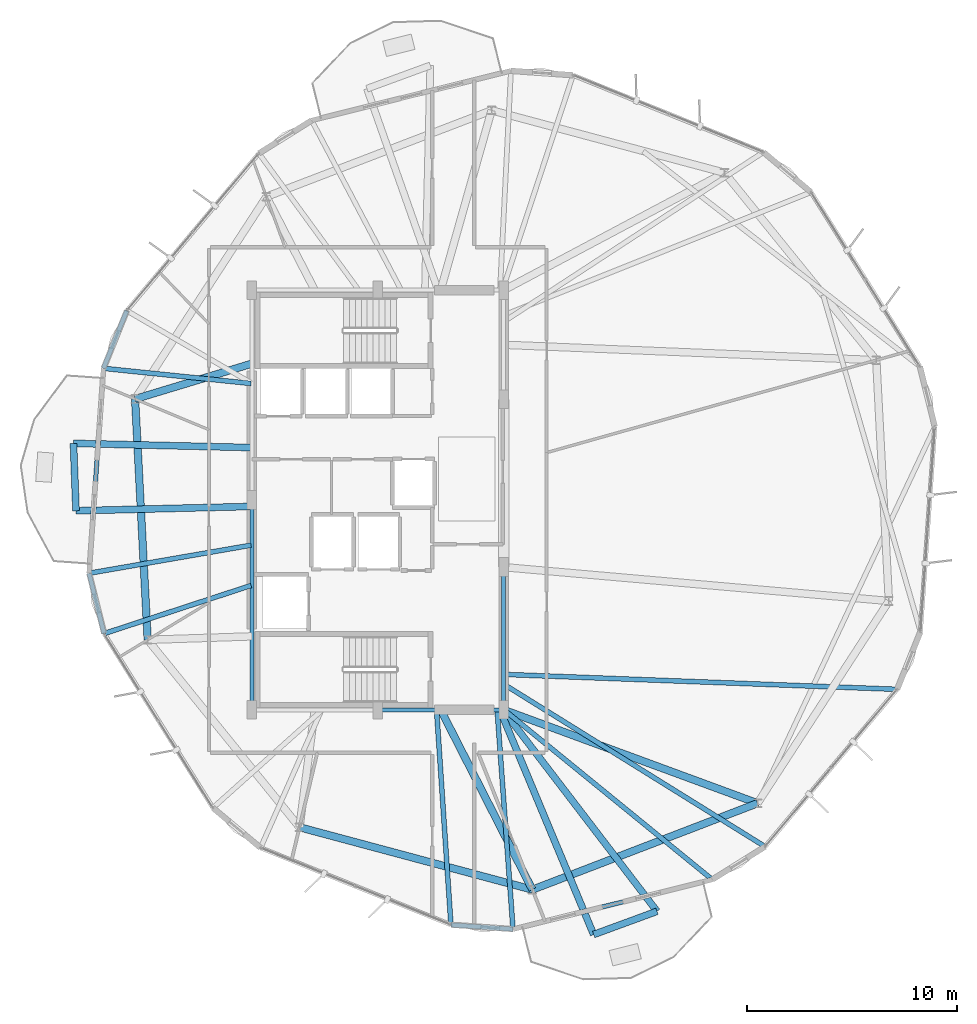
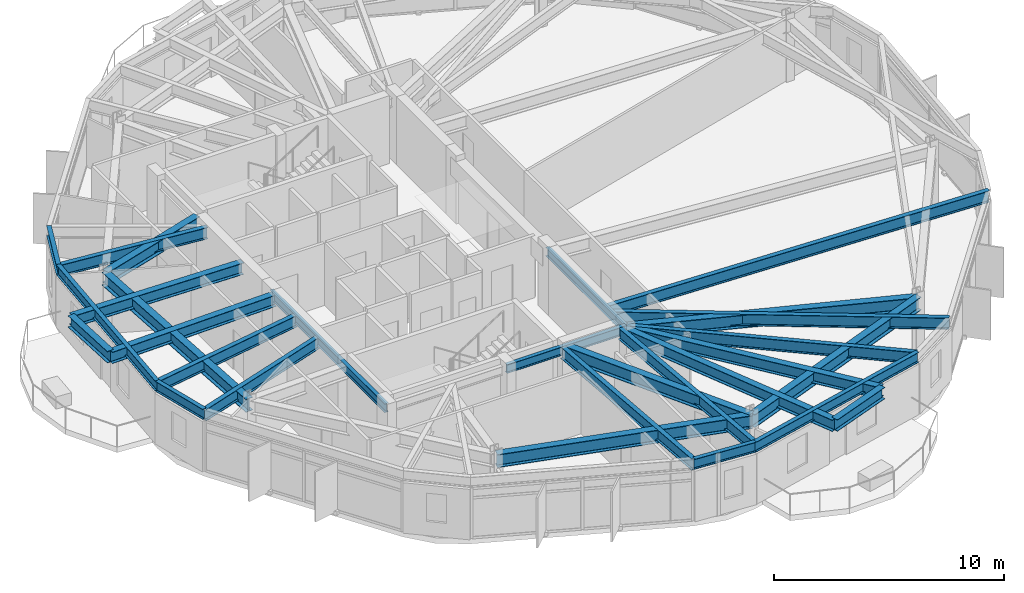
# One storey, part 5 of 23: 28 beams.
"""IFC4 building model written with IfcOpenShell, lengths in metres."""

from ifc_helpers import new_model, si_unit, direction, frame, origin, origin_2d, place, context, subcontext, project, spatial, i_section, extrude, material, material_profile, profile_set, type_object, element, save


model = new_model("IFC4")

# Units and contexts
model_context = context("Model", 3, precision=1e-05, world=origin(), true_north=direction((0.0, 1.0)))
body_context = subcontext(model_context, "Body", "Model", "MODEL_VIEW")
ifc_project = project(units=[si_unit("LENGTHUNIT", "METRE"), si_unit("AREAUNIT", "SQUARE_METRE"), si_unit("VOLUMEUNIT", "CUBIC_METRE"), si_unit("PLANEANGLEUNIT", "RADIAN"), si_unit("MASSUNIT", "GRAM", prefix="KILO")], contexts=[model_context])

# Site, building, storey
site_placement = place(None, origin())
site = spatial("IfcSite", under=ifc_project, at=site_placement, CompositionType="ELEMENT")
building_placement = place(site_placement, origin())
building = spatial("IfcBuilding", under=site, at=building_placement, Name="Soratama Intermodal Tower", CompositionType="ELEMENT")
storey_placement = place(building_placement, frame((0.0, 0.0, 215.800048828125)))
storey = spatial("IfcBuildingStorey", under=building, at=storey_placement, Name="L54", CompositionType="ELEMENT", Elevation=215.800048828125)

# Beams
ifc_material_1 = material(Name="Structural steel ASTM A992 Grade 50", Category="steel")
ifc_material_profile_1 = material_profile(ifc_material_1, i_section(OverallWidth=0.324951171875, OverallDepth=0.615966796875, WebThickness=0.013916015625, FlangeThickness=0.021484375, FilletRadius=0.013916015625, at=origin_2d()), Name="W24X117")
ifc_profile_set_1 = profile_set([ifc_material_profile_1], Name="Structural steel ASTM A992 Grade 50")
beam_type_1 = type_object("IfcBeamType", Name="BM-CANT-W24X117", PredefinedType="BEAM", material=ifc_profile_set_1)
beam_1_placement = place(storey_placement, frame((24.096923828125, 27.698974609375, 2.991943359375), z_axis=(0.037651800069, -0.999290919578, 0.0), x_axis=(0.999290919578, 0.037651800069, 0.0)))
element("IfcBeam", 1, at=beam_1_placement, inside=storey, type_object=beam_type_1, Name="BM-L54-CBHDR-2", PredefinedType="BEAM", context=body_context, shape_type="SweptSolid", body=[
    extrude(i_section(OverallWidth=0.324951171875, OverallDepth=0.615966796875, WebThickness=0.013916015625, FlangeThickness=0.021484375, FilletRadius=0.013916015625, at=origin_2d()), origin(), (0.0, 0.0, 1.0), 3.216064453125),
])
beam_2_placement = place(storey_placement, frame((48.89208984375, 4.285888671875, 2.991943359375), z_axis=(0.938794524338, 0.344477635083, 0.0), x_axis=(-0.344477635083, 0.938794524338, 0.0)))
element("IfcBeam", 2, at=beam_2_placement, inside=storey, type_object=beam_type_1, Name="BM-L54-CBHDR-3", PredefinedType="BEAM", context=body_context, shape_type="SweptSolid", body=[
    extrude(i_section(OverallWidth=0.324951171875, OverallDepth=0.615966796875, WebThickness=0.013916015625, FlangeThickness=0.021484375, FilletRadius=0.013916015625, at=origin_2d()), origin(), (0.0, 0.0, 1.0), 3.216796875),
])
beam_3_placement = place(storey_placement, frame((32.56005859375, 27.4990234375, 2.991943359375), z_axis=(-0.99972101964, 0.023619544644, 0.0), x_axis=(-0.023619544644, -0.99972101964, 0.0)))
element("IfcBeam", 3, at=beam_3_placement, inside=storey, type_object=beam_type_1, Name="BM-L54-CANT-2-1", PredefinedType="BEAM", context=body_context, shape_type="SweptSolid", body=[
    extrude(i_section(OverallWidth=0.324951171875, OverallDepth=0.615966796875, WebThickness=0.013916015625, FlangeThickness=0.021484375, FilletRadius=0.013916015625, at=origin_2d()), origin(), (0.0, 0.0, 1.0), 8.465576171875),
])
beam_4_placement = place(storey_placement, frame((32.56005859375, 24.69189453125, 2.991943359375), z_axis=(-0.999692905388, -0.024780938595, 0.0), x_axis=(0.024780938595, -0.999692905388, 0.0)))
element("IfcBeam", 4, at=beam_4_placement, inside=storey, type_object=beam_type_1, Name="BM-L54-CANT-2-2", PredefinedType="BEAM", context=body_context, shape_type="SweptSolid", body=[
    extrude(i_section(OverallWidth=0.324951171875, OverallDepth=0.615966796875, WebThickness=0.013916015625, FlangeThickness=0.021484375, FilletRadius=0.013916015625, at=origin_2d()), origin(), (0.0, 0.0, 1.0), 8.344482421875),
])
beam_5_placement = place(storey_placement, frame((44.43896484375, 14.962890625, 2.991943359375), z_axis=(0.384937541083, -0.922942625229, 0.0), x_axis=(0.922942625229, 0.384937541083, 0.0)))
element("IfcBeam", 5, at=beam_5_placement, inside=storey, type_object=beam_type_1, Name="BM-L54-CANT-3-1", PredefinedType="BEAM", context=body_context, shape_type="SweptSolid", body=[
    extrude(i_section(OverallWidth=0.324951171875, OverallDepth=0.615966796875, WebThickness=0.013916015625, FlangeThickness=0.021484375, FilletRadius=0.013916015625, at=origin_2d()), origin(), (0.0, 0.0, 1.0), 11.568359375),
])
beam_6_placement = place(storey_placement, frame((44.5869140625, 14.968017578125, 2.991943359375), z_axis=(0.607655309448, -0.794200871883, 0.0), x_axis=(0.794200871883, 0.607655309448, 0.0)))
element("IfcBeam", 6, at=beam_6_placement, inside=storey, type_object=beam_type_1, Name="BM-L54-CANT-3-2", PredefinedType="BEAM", context=body_context, shape_type="SweptSolid", body=[
    extrude(i_section(OverallWidth=0.324951171875, OverallDepth=0.615966796875, WebThickness=0.013916015625, FlangeThickness=0.021484375, FilletRadius=0.013916015625, at=origin_2d()), origin(), (0.0, 0.0, 1.0), 12.054931640625),
])
ifc_material_2 = material(Name="Structural steel ASTM A992 Grade 50", Category="steel")
ifc_material_profile_2 = material_profile(ifc_material_2, i_section(OverallWidth=0.19091796875, OverallDepth=0.4599609375, WebThickness=0.010009765625, FlangeThickness=0.01611328125, FilletRadius=0.010986328125, at=origin_2d()), Name="W18X55")
ifc_profile_set_2 = profile_set([ifc_material_profile_2], Name="Structural steel ASTM A992 Grade 50")
beam_type_2 = type_object("IfcBeamType", Name="BM-FLR-W18X55", PredefinedType="BEAM", material=ifc_profile_set_2)
beam_7_placement = place(storey_placement, frame((38.60009765625, 15.0, 3.070068359375), z_axis=(1.0, 0.0, 0.0), x_axis=(0.0, 1.0, 0.0)))
element("IfcBeam", 7, at=beam_7_placement, inside=storey, type_object=beam_type_2, Name="BM-L54-CRING-02", PredefinedType="BEAM", context=body_context, shape_type="SweptSolid", body=[
    extrude(i_section(OverallWidth=0.19091796875, OverallDepth=0.4599609375, WebThickness=0.010009765625, FlangeThickness=0.01611328125, FilletRadius=0.010986328125, at=origin_2d()), origin(), (0.0, 0.0, 1.0), 6.0),
])
beam_8_placement = place(storey_placement, frame((44.60009765625, 15.0, 3.070068359375), z_axis=(0.0, 1.0, 0.0), x_axis=(-1.0, 0.0, 0.0)))
element("IfcBeam", 8, at=beam_8_placement, inside=storey, type_object=beam_type_2, Name="BM-L54-CRING-03", PredefinedType="BEAM", context=body_context, shape_type="SweptSolid", body=[
    extrude(i_section(OverallWidth=0.19091796875, OverallDepth=0.4599609375, WebThickness=0.010009765625, FlangeThickness=0.01611328125, FilletRadius=0.010986328125, at=origin_2d()), origin(), (0.0, 0.0, 1.0), 6.800048828125),
])
beam_9_placement = place(storey_placement, frame((32.60009765625, 25.0, 3.070068359375), z_axis=(0.0, -1.0, 0.0), x_axis=(1.0, 0.0, 0.0)))
element("IfcBeam", 9, at=beam_9_placement, inside=storey, type_object=beam_type_2, Name="BM-L54-CRING-09", PredefinedType="BEAM", context=body_context, shape_type="SweptSolid", body=[
    extrude(i_section(OverallWidth=0.19091796875, OverallDepth=0.4599609375, WebThickness=0.010009765625, FlangeThickness=0.01611328125, FilletRadius=0.010986328125, at=origin_2d()), origin(), (0.0, 0.0, 1.0), 10.0),
])
ifc_material_3 = material(Name="Structural steel ASTM A992 Grade 50", Category="steel")
ifc_material_profile_3 = material_profile(ifc_material_3, i_section(OverallWidth=0.35498046875, OverallDepth=0.695068359375, WebThickness=0.015380859375, FlangeThickness=0.02490234375, FilletRadius=0.01611328125, at=origin_2d()), Name="W27X146")
ifc_profile_set_3 = profile_set([ifc_material_profile_3], Name="Structural steel ASTM A992 Grade 50")
beam_type_3 = type_object("IfcBeamType", Name="BM-RING-W27X146", PredefinedType="BEAM", material=ifc_profile_set_3)
beam_10_placement = place(storey_placement, frame((27.033935546875, 29.81396484375, 2.952392578125), z_axis=(0.052286849724, -0.998632107108, 0.0), x_axis=(0.998632107108, 0.052286849724, 0.0)))
element("IfcBeam", 10, at=beam_10_placement, inside=storey, type_object=beam_type_3, Name="BM-L54-RING-05", PredefinedType="BEAM", context=body_context, shape_type="SweptSolid", body=[
    extrude(i_section(OverallWidth=0.35498046875, OverallDepth=0.695068359375, WebThickness=0.015380859375, FlangeThickness=0.02490234375, FilletRadius=0.01611328125, at=origin_2d()), origin(), (0.0, 0.0, 1.0), 11.49560546875),
])
beam_11_placement = place(storey_placement, frame((34.8701171875, 9.40087890625, 2.952392578125), z_axis=(0.965928616227, -0.258808632687, 0.0), x_axis=(0.258808632687, 0.965928616227, 0.0)))
element("IfcBeam", 11, at=beam_11_placement, inside=storey, type_object=beam_type_3, Name="BM-L54-RING-07", PredefinedType="BEAM", context=body_context, shape_type="SweptSolid", body=[
    extrude(i_section(OverallWidth=0.35498046875, OverallDepth=0.695068359375, WebThickness=0.015380859375, FlangeThickness=0.02490234375, FilletRadius=0.01611328125, at=origin_2d()), origin(), (0.0, 0.0, 1.0), 11.494384765625),
])
beam_12_placement = place(storey_placement, frame((45.972900390625, 6.426025390625, 2.952392578125), z_axis=(0.933603724339, 0.358307250695, 0.0), x_axis=(-0.358307250695, 0.933603724339, 0.0)))
element("IfcBeam", 12, at=beam_12_placement, inside=storey, type_object=beam_type_3, Name="BM-L54-RING-08", PredefinedType="BEAM", context=body_context, shape_type="SweptSolid", body=[
    extrude(i_section(OverallWidth=0.35498046875, OverallDepth=0.695068359375, WebThickness=0.015380859375, FlangeThickness=0.02490234375, FilletRadius=0.01611328125, at=origin_2d()), origin(), (0.0, 0.0, 1.0), 11.495361328125),
])
beam_13_placement = place(storey_placement, frame((32.60009765625, 31.5, 2.952392578125), z_axis=(-0.957056879321, -0.289900206526, 0.0), x_axis=(0.289900206526, -0.957056879321, 0.0)))
element("IfcBeam", 13, at=beam_13_placement, inside=storey, type_object=beam_type_3, Name="BM-L54-RAD-05", PredefinedType="BEAM", context=body_context, shape_type="SweptSolid", body=[
    extrude(i_section(OverallWidth=0.35498046875, OverallDepth=0.695068359375, WebThickness=0.015380859375, FlangeThickness=0.02490234375, FilletRadius=0.01611328125, at=origin_2d()), origin(), (0.0, 0.0, 1.0), 5.81591796875),
])
beam_14_placement = place(storey_placement, frame((41.60009765625, 15.0, 2.952392578125), z_axis=(0.454332323157, -0.890832273851, 0.0), x_axis=(0.890832273851, 0.454332323157, 0.0)))
element("IfcBeam", 14, at=beam_14_placement, inside=storey, type_object=beam_type_3, Name="BM-L54-RAD-08", PredefinedType="BEAM", context=body_context, shape_type="SweptSolid", body=[
    extrude(i_section(OverallWidth=0.35498046875, OverallDepth=0.695068359375, WebThickness=0.015380859375, FlangeThickness=0.02490234375, FilletRadius=0.01611328125, at=origin_2d()), origin(), (0.0, 0.0, 1.0), 9.624755859375),
])
beam_15_placement = place(storey_placement, frame((44.60009765625, 15.0, 2.952392578125), z_axis=(0.938460043872, -0.345387819785, 0.0), x_axis=(0.345387819785, 0.938460043872, 0.0)))
element("IfcBeam", 15, at=beam_15_placement, inside=storey, type_object=beam_type_3, Name="BM-L54-RAD-09", PredefinedType="BEAM", context=body_context, shape_type="SweptSolid", body=[
    extrude(i_section(OverallWidth=0.35498046875, OverallDepth=0.695068359375, WebThickness=0.015380859375, FlangeThickness=0.02490234375, FilletRadius=0.01611328125, at=origin_2d()), origin(), (0.0, 0.0, 1.0), 12.898681640625),
])
ifc_material_4 = material(Name="Structural steel ASTM A992 Grade 50", Category="steel")
ifc_material_profile_4 = material_profile(ifc_material_4, i_section(OverallWidth=0.2099609375, OverallDepth=0.537109375, WebThickness=0.010986328125, FlangeThickness=0.017333984375, FilletRadius=0.012939453125, at=origin_2d()), Name="W21X68")
ifc_profile_set_4 = profile_set([ifc_material_profile_4], Name="Structural steel ASTM A992 Grade 50")
beam_type_4 = type_object("IfcBeamType", Name="BM-SPN-W21X68", PredefinedType="SPANDREL", material=ifc_profile_set_4)
beam_16_placement = place(storey_placement, frame((26.637939453125, 34.02587890625, 3.031494140625), z_axis=(-0.374893029437, -0.927068075429, 0.0), x_axis=(0.927068075429, -0.374893029437, 0.0)))
element("IfcBeam", 16, at=beam_16_placement, inside=storey, type_object=beam_type_4, Name="BS-L54-CRN03", PredefinedType="SPANDREL", context=body_context, shape_type="SweptSolid", body=[
    extrude(i_section(OverallWidth=0.2099609375, OverallDepth=0.537109375, WebThickness=0.010986328125, FlangeThickness=0.017333984375, FilletRadius=0.012939453125, at=origin_2d()), origin(), (0.0, 0.0, 1.0), 2.96630859375),
])
beam_17_placement = place(storey_placement, frame((25.52587890625, 31.27587890625, 3.031494140625), z_axis=(-0.070043766258, -0.997543919238, 0.0), x_axis=(0.997543919238, -0.070043766258, 0.0)))
element("IfcBeam", 17, at=beam_17_placement, inside=storey, type_object=beam_type_4, Name="BS-L54-F04", PredefinedType="SPANDREL", context=body_context, shape_type="SweptSolid", body=[
    extrude(i_section(OverallWidth=0.2099609375, OverallDepth=0.537109375, WebThickness=0.010986328125, FlangeThickness=0.017333984375, FilletRadius=0.012939453125, at=origin_2d()), origin(), (0.0, 0.0, 1.0), 9.790771484375),
])
beam_18_placement = place(storey_placement, frame((24.840087890625, 21.509033203125, 3.031494140625), z_axis=(0.241373233357, -0.970432358394, 0.0), x_axis=(0.970432358394, 0.241373233357, 0.0)))
element("IfcBeam", 18, at=beam_18_placement, inside=storey, type_object=beam_type_4, Name="BS-L54-CRN04", PredefinedType="SPANDREL", context=body_context, shape_type="SweptSolid", body=[
    extrude(i_section(OverallWidth=0.2099609375, OverallDepth=0.537109375, WebThickness=0.010986328125, FlangeThickness=0.017333984375, FilletRadius=0.012939453125, at=origin_2d()), origin(), (0.0, 0.0, 1.0), 2.965576171875),
])
beam_19_placement = place(storey_placement, frame((42.090087890625, 4.748046875, 3.031494140625), z_axis=(0.997538283806, -0.070123978367, 0.0), x_axis=(0.070123978367, 0.997538283806, 0.0)))
element("IfcBeam", 19, at=beam_19_placement, inside=storey, type_object=beam_type_4, Name="BS-L54-CRN06", PredefinedType="SPANDREL", context=body_context, shape_type="SweptSolid", body=[
    extrude(i_section(OverallWidth=0.2099609375, OverallDepth=0.537109375, WebThickness=0.010986328125, FlangeThickness=0.017333984375, FilletRadius=0.012939453125, at=origin_2d()), origin(), (0.0, 0.0, 1.0), 2.96630859375),
])
beam_20_placement = place(storey_placement, frame((45.049072265625, 4.5400390625, 3.031494140625), z_axis=(0.970388420439, 0.241549815726, 0.0), x_axis=(-0.241549815726, 0.970388420439, 0.0)))
element("IfcBeam", 20, at=beam_20_placement, inside=storey, type_object=beam_type_4, Name="BS-L54-F07", PredefinedType="SPANDREL", context=body_context, shape_type="SweptSolid", body=[
    extrude(i_section(OverallWidth=0.2099609375, OverallDepth=0.537109375, WebThickness=0.010986328125, FlangeThickness=0.017333984375, FilletRadius=0.012939453125, at=origin_2d()), origin(), (0.0, 0.0, 1.0), 9.791015625),
])
ifc_material_5 = material(Name="Structural steel ASTM A992 Grade 50", Category="steel")
ifc_material_profile_5 = material_profile(ifc_material_5, i_section(OverallWidth=0.22900390625, OverallDepth=0.612060546875, WebThickness=0.011962890625, FlangeThickness=0.01953125, FilletRadius=0.012939453125, at=origin_2d()), Name="W24X84")
ifc_profile_set_5 = profile_set([ifc_material_profile_5], Name="Structural steel ASTM A992 Grade 50")
beam_type_5 = type_object("IfcBeamType", Name="BM-TIE-W24X84", PredefinedType="BEAM", material=ifc_profile_set_5)
beam_21_placement = place(storey_placement, frame((32.56005859375, 30.553955078125, 2.993896484375), z_axis=(-0.994774697391, 0.102094571018, 0.0), x_axis=(-0.102094571018, -0.994774697391, 0.0)))
element("IfcBeam", 21, at=beam_21_placement, inside=storey, type_object=beam_type_5, Name="BM-L54-TIE0-04", PredefinedType="BEAM", context=body_context, shape_type="SweptSolid", body=[
    extrude(i_section(OverallWidth=0.22900390625, OverallDepth=0.612060546875, WebThickness=0.011962890625, FlangeThickness=0.01953125, FilletRadius=0.012939453125, at=origin_2d()), origin(), (0.0, 0.0, 1.0), 7.071044921875),
])
beam_22_placement = place(storey_placement, frame((32.56103515625, 22.845947265625, 2.993896484375), z_axis=(-0.985337715881, -0.170615314851, 0.0), x_axis=(0.170615314851, -0.985337715881, 0.0)))
element("IfcBeam", 22, at=beam_22_placement, inside=storey, type_object=beam_type_5, Name="BM-L54-TIE1-04", PredefinedType="BEAM", context=body_context, shape_type="SweptSolid", body=[
    extrude(i_section(OverallWidth=0.22900390625, OverallDepth=0.612060546875, WebThickness=0.011962890625, FlangeThickness=0.01953125, FilletRadius=0.012939453125, at=origin_2d()), origin(), (0.0, 0.0, 1.0), 7.8359375),
])
beam_23_placement = place(storey_placement, frame((32.56201171875, 20.926025390625, 2.993896484375), z_axis=(-0.950316290734, -0.311285957867, 0.0), x_axis=(0.311285957867, -0.950316290734, 0.0)))
element("IfcBeam", 23, at=beam_23_placement, inside=storey, type_object=beam_type_5, Name="BM-L54-TIE0-05", PredefinedType="BEAM", context=body_context, shape_type="SweptSolid", body=[
    extrude(i_section(OverallWidth=0.22900390625, OverallDepth=0.612060546875, WebThickness=0.011962890625, FlangeThickness=0.01953125, FilletRadius=0.012939453125, at=origin_2d()), origin(), (0.0, 0.0, 1.0), 7.372314453125),
])
beam_24_placement = place(storey_placement, frame((41.406982421875, 14.9599609375, 2.993896484375), z_axis=(0.066743828642, -0.997770144541, 0.0), x_axis=(0.997770144541, 0.066743828642, 0.0)))
element("IfcBeam", 24, at=beam_24_placement, inside=storey, type_object=beam_type_5, Name="BM-L54-TIE1-06", PredefinedType="BEAM", context=body_context, shape_type="SweptSolid", body=[
    extrude(i_section(OverallWidth=0.22900390625, OverallDepth=0.612060546875, WebThickness=0.011962890625, FlangeThickness=0.01953125, FilletRadius=0.012939453125, at=origin_2d()), origin(), (0.0, 0.0, 1.0), 10.234619140625),
])
beam_25_placement = place(storey_placement, frame((44.294921875, 14.9599609375, 2.993896484375), z_axis=(0.072186999893, -0.997391115384, 0.0), x_axis=(0.997391115384, 0.072186999893, 0.0)))
element("IfcBeam", 25, at=beam_25_placement, inside=storey, type_object=beam_type_5, Name="BM-L54-TIE0-07", PredefinedType="BEAM", context=body_context, shape_type="SweptSolid", body=[
    extrude(i_section(OverallWidth=0.22900390625, OverallDepth=0.612060546875, WebThickness=0.011962890625, FlangeThickness=0.01953125, FilletRadius=0.012939453125, at=origin_2d()), origin(), (0.0, 0.0, 1.0), 10.447265625),
])
beam_26_placement = place(storey_placement, frame((44.631103515625, 14.988037109375, 2.993896484375), z_axis=(0.775200378433, -0.631715421117, 0.0), x_axis=(0.631715421117, 0.775200378433, 0.0)))
element("IfcBeam", 26, at=beam_26_placement, inside=storey, type_object=beam_type_5, Name="BM-L54-TIE1-07", PredefinedType="BEAM", context=body_context, shape_type="SweptSolid", body=[
    extrude(i_section(OverallWidth=0.22900390625, OverallDepth=0.612060546875, WebThickness=0.011962890625, FlangeThickness=0.01953125, FilletRadius=0.012939453125, at=origin_2d()), origin(), (0.0, 0.0, 1.0), 12.79541015625),
])
beam_27_placement = place(storey_placement, frame((44.634033203125, 16.202880859375, 2.993896484375), z_axis=(0.849319683622, -0.527878845014, 0.0), x_axis=(0.527878845014, 0.849319683622, 0.0)))
element("IfcBeam", 27, at=beam_27_placement, inside=storey, type_object=beam_type_5, Name="BM-L54-TIE0-08", PredefinedType="BEAM", context=body_context, shape_type="SweptSolid", body=[
    extrude(i_section(OverallWidth=0.22900390625, OverallDepth=0.612060546875, WebThickness=0.011962890625, FlangeThickness=0.01953125, FilletRadius=0.012939453125, at=origin_2d()), origin(), (0.0, 0.0, 1.0), 14.637451171875),
])
beam_28_placement = place(storey_placement, frame((44.639892578125, 16.68603515625, 2.993896484375), z_axis=(0.999277825382, -0.037997732817, 0.0), x_axis=(0.037997732817, 0.999277825382, 0.0)))
element("IfcBeam", 28, at=beam_28_placement, inside=storey, type_object=beam_type_5, Name="BM-L54-TIE1-08", PredefinedType="BEAM", context=body_context, shape_type="SweptSolid", body=[
    extrude(i_section(OverallWidth=0.22900390625, OverallDepth=0.612060546875, WebThickness=0.011962890625, FlangeThickness=0.01953125, FilletRadius=0.012939453125, at=origin_2d()), origin(), (0.0, 0.0, 1.0), 18.735595703125),
])

save(model, "model.ifc")
